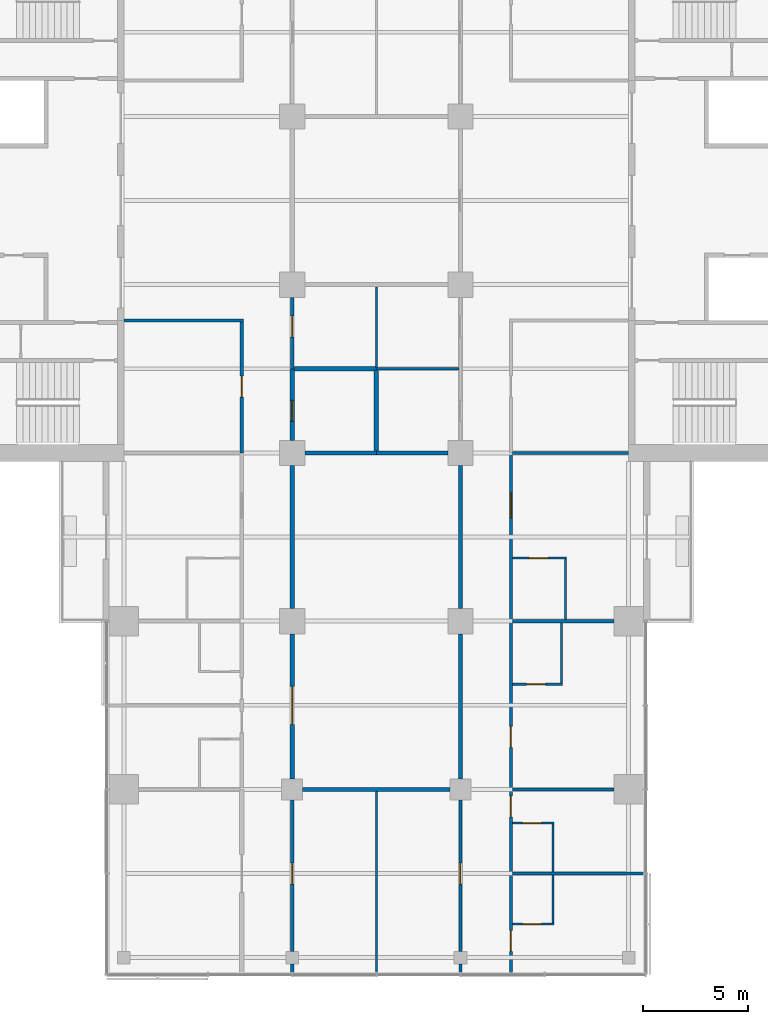
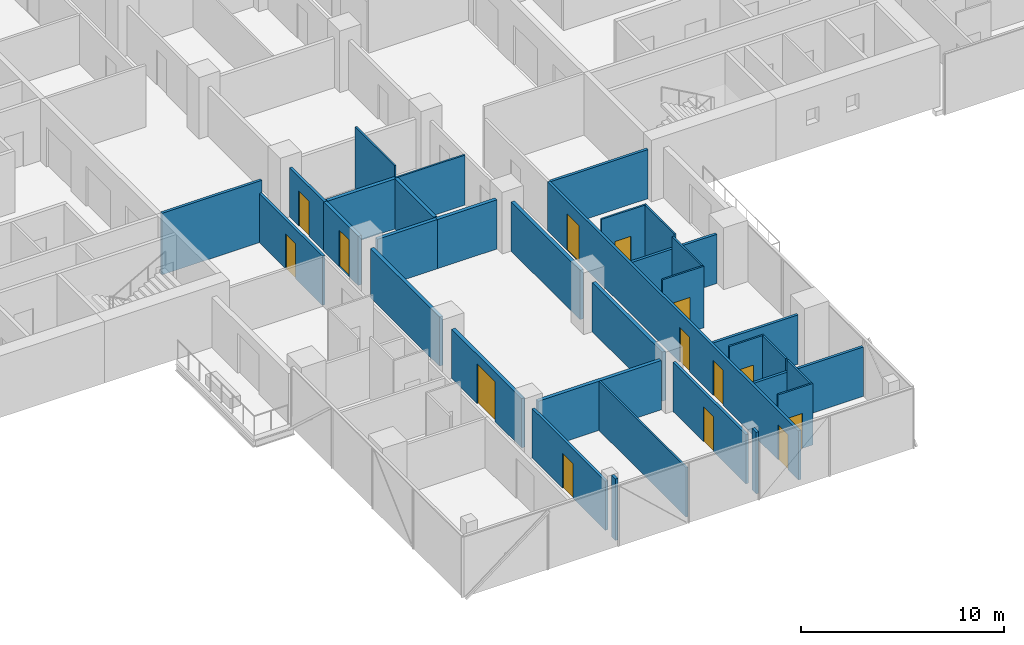
# One storey, part 16 of 27: 33 walls, 14 doors, 14 openings.
"""IFC4 building model written with IfcOpenShell, lengths in metres."""

from ifc_helpers import new_model, si_unit, direction, frame, frame_2d, origin, place, context, subcontext, project, spatial, rectangle, extrude, material, layer, layer_set, type_object, element, fill, save


model = new_model("IFC4")

# Units and contexts
model_context = context("Model", 3, precision=1e-05, world=origin(), true_north=direction((0.0, 1.0)))
body_context = subcontext(model_context, "Body", "Model", "MODEL_VIEW")
ifc_project = project(units=[si_unit("LENGTHUNIT", "METRE"), si_unit("AREAUNIT", "SQUARE_METRE"), si_unit("VOLUMEUNIT", "CUBIC_METRE"), si_unit("PLANEANGLEUNIT", "RADIAN"), si_unit("MASSUNIT", "GRAM", prefix="KILO")], contexts=[model_context])

# Site, building, storey
site_placement = place(None, origin())
site = spatial("IfcSite", under=ifc_project, at=site_placement, CompositionType="ELEMENT")
building_placement = place(site_placement, origin())
building = spatial("IfcBuilding", under=site, at=building_placement, Name="Crosswind Convention Tower", CompositionType="ELEMENT")
storey_placement = place(building_placement, frame((0.0, 0.0, 72.0)))
storey = spatial("IfcBuildingStorey", under=building, at=storey_placement, Name="L12", CompositionType="ELEMENT", Elevation=72.0)

# Walls
ifc_material_1 = material(Name="Concrete blockwork", Category="masonry")
ifc_layer_1 = layer(ifc_material_1, 0.199951171875)
ifc_layer_set_1 = layer_set([ifc_layer_1], Name="COMPARTMENT WALL 200")
wall_type_1 = type_object("IfcWallType", Name="COMPARTMENT WALL 200", PredefinedType="SOLIDWALL", material=ifc_layer_set_1)
wall_1_placement = place(storey_placement, frame((121.60009765625, 88.0, 0.0), z_axis=(0.0, 0.0, 1.0), x_axis=(1.0, 0.0, 0.0)))
element("IfcWall", 1, at=wall_1_placement, inside=storey, type_object=wall_type_1, Name="Compartment Wall 16", PredefinedType="SOLIDWALL", context=body_context, shape_type="SweptSolid", body=[
    extrude(rectangle(XDim=3.39990234375, YDim=0.199951171875, at=frame_2d((1.699951171875, 0.0))), origin(), (0.0, 0.0, 1.0), 2.959716796875),
])
wall_2_placement = place(storey_placement, frame((121.074951171875, 92.0, 0.0), z_axis=(0.0, 0.0, 1.0), x_axis=(1.0, 0.0, 0.0)))
element("IfcWall", 2, at=wall_2_placement, inside=storey, type_object=wall_type_1, Name="Compartment Wall 22", PredefinedType="SOLIDWALL", context=body_context, shape_type="SweptSolid", body=[
    extrude(rectangle(XDim=3.925048828125, YDim=0.199951171875, at=frame_2d((1.96240234375, 0.0))), origin(), (0.0, 0.0, 1.0), 3.013671875),
])

# Wall, opening, door
wall_3_placement = place(storey_placement, frame((121.0, 88.60009765625, 0.0), z_axis=(0.0, 0.0, 1.0), x_axis=(0.0, 1.0, 0.0)))
wall_3 = element("IfcWall", 3, at=wall_3_placement, inside=storey, type_object=wall_type_1, Name="Compartment Wall 91", PredefinedType="SOLIDWALL", context=body_context, shape_type="SweptSolid", body=[
    extrude(rectangle(XDim=3.39990234375, YDim=0.199951171875, at=frame_2d((1.699951171875, 0.0))), origin(), (0.0, 0.0, 1.0), 2.959716796875),
])
opening_1_placement = place(wall_3_placement, frame((0.89990234375, 0.0, 0.0)))
opening_1 = element("IfcOpeningElement", 4, at=opening_1_placement, cuts=wall_3, Name="Opening 12.060", PredefinedType="OPENING", context=body_context, shape_type="SweptSolid", body=[
    extrude(rectangle(XDim=1.0, YDim=2.199951171875, at=frame_2d((0.5, 1.10009765625))), frame((0.0, 0.10986328125, 0.0), z_axis=(0.0, -1.0, 0.0), x_axis=(1.0, 0.0, 0.0)), (0.0, 0.0, 1.0), 0.219970703125),
])
ifc_material_2 = material(Name="Steel fire door", Category="steel")
door_type_1 = type_object("IfcDoorType", Name="PLANT ROOM DOOR 1000X2200", OperationType="NOTDEFINED", PredefinedType="DOOR", material=ifc_material_2)
door_1_placement = place(opening_1_placement, frame((1.0, 0.0, 0.0), z_axis=(0.0, 0.0, 1.0), x_axis=(-1.0, 0.0, 0.0)))
door_1 = element("IfcDoor", 5, at=door_1_placement, inside=storey, type_object=door_type_1, Name="Door 12.060", ObjectType="D6", OperationType="SINGLE_SWING_RIGHT", OverallHeight=2.199951171875, OverallWidth=1.0, PredefinedType="DOOR", context=body_context, shape_type="SweptSolid", body=[
    extrude(rectangle(XDim=1.0, YDim=2.199951171875, at=frame_2d((0.5, 1.10009765625))), frame((0.0, 0.02490234375, 0.0), z_axis=(0.0, -1.0, 0.0), x_axis=(1.0, 0.0, 0.0)), (0.0, 0.0, 1.0), 0.050048828125),
])
fill(opening_1, door_1)

# Walls
wall_4_placement = place(storey_placement, frame((125.0, 88.10009765625, 0.0), z_axis=(0.0, 0.0, 1.0), x_axis=(0.0, 1.0, 0.0)))
element("IfcWall", 6, at=wall_4_placement, inside=storey, type_object=wall_type_1, Name="Compartment Wall 100", PredefinedType="SOLIDWALL", context=body_context, shape_type="SweptSolid", body=[
    extrude(rectangle(XDim=3.849853515625, YDim=0.199951171875, at=frame_2d((1.9248046875, 0.0))), origin(), (0.0, 0.0, 1.0), 3.013671875),
])
ifc_material_3 = material(Name="Plasterboard partition", Category="gypsum")
ifc_layer_2 = layer(ifc_material_3, 0.14990234375)
ifc_layer_set_2 = layer_set([ifc_layer_2], Name="CORRIDOR WALL 150")
wall_type_2 = type_object("IfcWallType", Name="CORRIDOR WALL 150", PredefinedType="PARTITIONING", material=ifc_layer_set_2)
wall_5_placement = place(storey_placement, frame((113.0, 94.300048828125, 0.0), z_axis=(0.0, 0.0, 1.0), x_axis=(1.0, 0.0, 0.0)))
element("IfcWall", 7, at=wall_5_placement, inside=storey, type_object=wall_type_2, Name="Corridor Wall 25", PredefinedType="PARTITIONING", context=body_context, shape_type="SweptSolid", body=[
    extrude(rectangle(XDim=5.675048828125, YDim=0.14990234375, at=frame_2d((2.83740234375, 0.0))), origin(), (0.0, 0.0, 1.0), 3.699951171875),
])

# Wall, opening, door
wall_6_placement = place(storey_placement, frame((118.60009765625, 88.0, 0.0), z_axis=(0.0, 0.0, 1.0), x_axis=(0.0, 1.0, 0.0)))
wall_6 = element("IfcWall", 8, at=wall_6_placement, inside=storey, type_object=wall_type_2, Name="Corridor Wall 84", PredefinedType="PARTITIONING", context=body_context, shape_type="SweptSolid", body=[
    extrude(rectangle(XDim=6.22509765625, YDim=0.14990234375, at=frame_2d((3.112548828125, 0.0))), origin(), (0.0, 0.0, 1.0), 2.956298828125),
])
opening_2_placement = place(wall_6_placement, frame((2.64990234375, 0.0, 0.0)))
opening_2 = element("IfcOpeningElement", 9, at=opening_2_placement, cuts=wall_6, Name="Opening 12.004", PredefinedType="OPENING", context=body_context, shape_type="SweptSolid", body=[
    extrude(rectangle(XDim=1.0, YDim=2.10009765625, at=frame_2d((0.5, 1.050048828125))), frame((0.0, 0.0849609375, 0.0), z_axis=(0.0, -1.0, 0.0), x_axis=(1.0, 0.0, 0.0)), (0.0, 0.0, 1.0), 0.169921875),
])
ifc_material_4 = material(Name="Timber fire door", Category="wood")
door_type_2 = type_object("IfcDoorType", Name="SERVICE ROOM DOOR 1000X2100", OperationType="NOTDEFINED", PredefinedType="DOOR", material=ifc_material_4)
door_2_placement = place(opening_2_placement, origin())
door_2 = element("IfcDoor", 10, at=door_2_placement, inside=storey, type_object=door_type_2, Name="Door 12.004", ObjectType="D3", OperationType="SINGLE_SWING_RIGHT", OverallHeight=2.10009765625, OverallWidth=1.0, PredefinedType="DOOR", context=body_context, shape_type="SweptSolid", body=[
    extrude(rectangle(XDim=1.0, YDim=2.10009765625, at=frame_2d((0.5, 1.050048828125))), frame((0.0, 0.02490234375, 0.0), z_axis=(0.0, -1.0, 0.0), x_axis=(1.0, 0.0, 0.0)), (0.0, 0.0, 1.0), 0.050048828125),
])
fill(opening_2, door_2)

# Wall
wall_7_placement = place(storey_placement, frame((121.0, 63.300048828125, 0.0), z_axis=(0.0, 0.0, 1.0), x_axis=(0.0, 1.0, 0.0)))
element("IfcWall", 11, at=wall_7_placement, inside=storey, type_object=wall_type_2, Name="Corridor Wall 87", PredefinedType="PARTITIONING", context=body_context, shape_type="SweptSolid", body=[
    extrude(rectangle(XDim=0.39990234375, YDim=0.14990234375, at=frame_2d((0.199951171875, 0.0))), origin(), (0.0, 0.0, 1.0), 3.699951171875),
])

# Wall, opening, door
wall_8_placement = place(storey_placement, frame((121.0, 64.300048828125, 0.0), z_axis=(0.0, 0.0, 1.0), x_axis=(0.0, 1.0, 0.0)))
wall_8 = element("IfcWall", 12, at=wall_8_placement, inside=storey, type_object=wall_type_2, Name="Corridor Wall 88", PredefinedType="PARTITIONING", context=body_context, shape_type="SweptSolid", body=[
    extrude(rectangle(XDim=7.199951171875, YDim=0.14990234375, at=frame_2d((3.60009765625, 0.0))), origin(), (0.0, 0.0, 1.0), 2.959716796875),
])
opening_3_placement = place(wall_8_placement, frame((3.199951171875, 0.0, 0.0)))
opening_3 = element("IfcOpeningElement", 13, at=opening_3_placement, cuts=wall_8, Name="Opening 12.057", PredefinedType="OPENING", context=body_context, shape_type="SweptSolid", body=[
    extrude(rectangle(XDim=1.0, YDim=2.10009765625, at=frame_2d((0.5, 1.050048828125))), frame((0.0, 0.0849609375, 0.0), z_axis=(0.0, -1.0, 0.0), x_axis=(1.0, 0.0, 0.0)), (0.0, 0.0, 1.0), 0.169921875),
])
door_3_placement = place(opening_3_placement, frame((1.0, 0.0, 0.0), z_axis=(0.0, 0.0, 1.0), x_axis=(-1.0, 0.0, 0.0)))
door_3 = element("IfcDoor", 14, at=door_3_placement, inside=storey, type_object=door_type_2, Name="Door 12.057", ObjectType="D3", OperationType="SINGLE_SWING_LEFT", OverallHeight=2.10009765625, OverallWidth=1.0, PredefinedType="DOOR", context=body_context, shape_type="SweptSolid", body=[
    extrude(rectangle(XDim=1.0, YDim=2.10009765625, at=frame_2d((0.5, 1.050048828125))), frame((0.0, 0.02490234375, 0.0), z_axis=(0.0, -1.0, 0.0), x_axis=(1.0, 0.0, 0.0)), (0.0, 0.0, 1.0), 0.050048828125),
])
fill(opening_3, door_3)

wall_9_placement = place(storey_placement, frame((121.0, 92.0, 0.0), z_axis=(0.0, 0.0, 1.0), x_axis=(0.0, 1.0, 0.0)))
wall_9 = element("IfcWall", 15, at=wall_9_placement, inside=storey, type_object=wall_type_2, Name="Corridor Wall 92", PredefinedType="PARTITIONING", context=body_context, shape_type="SweptSolid", body=[
    extrude(rectangle(XDim=3.39990234375, YDim=0.14990234375, at=frame_2d((1.699951171875, 0.0))), origin(), (0.0, 0.0, 1.0), 2.959716796875),
])
opening_4_placement = place(wall_9_placement, frame((1.5, 0.0, 0.0)))
opening_4 = element("IfcOpeningElement", 16, at=opening_4_placement, cuts=wall_9, Name="Opening 12.061", PredefinedType="OPENING", context=body_context, shape_type="SweptSolid", body=[
    extrude(rectangle(XDim=1.0, YDim=2.10009765625, at=frame_2d((0.5, 1.050048828125))), frame((0.0, 0.0849609375, 0.0), z_axis=(0.0, -1.0, 0.0), x_axis=(1.0, 0.0, 0.0)), (0.0, 0.0, 1.0), 0.169921875),
])
door_4_placement = place(opening_4_placement, frame((1.0, 0.0, 0.0), z_axis=(0.0, 0.0, 1.0), x_axis=(-1.0, 0.0, 0.0)))
door_4 = element("IfcDoor", 17, at=door_4_placement, inside=storey, type_object=door_type_2, Name="Door 12.061", ObjectType="D3", OperationType="SINGLE_SWING_LEFT", OverallHeight=2.10009765625, OverallWidth=1.0, PredefinedType="DOOR", context=body_context, shape_type="SweptSolid", body=[
    extrude(rectangle(XDim=1.0, YDim=2.10009765625, at=frame_2d((0.5, 1.050048828125))), frame((0.0, 0.02490234375, 0.0), z_axis=(0.0, -1.0, 0.0), x_axis=(1.0, 0.0, 0.0)), (0.0, 0.0, 1.0), 0.050048828125),
])
fill(opening_4, door_4)

# Wall
wall_10_placement = place(storey_placement, frame((129.0, 63.300048828125, 0.0), z_axis=(0.0, 0.0, 1.0), x_axis=(0.0, 1.0, 0.0)))
element("IfcWall", 18, at=wall_10_placement, inside=storey, type_object=wall_type_2, Name="Corridor Wall 104", PredefinedType="PARTITIONING", context=body_context, shape_type="SweptSolid", body=[
    extrude(rectangle(XDim=0.39990234375, YDim=0.14990234375, at=frame_2d((0.199951171875, 0.0))), origin(), (0.0, 0.0, 1.0), 3.699951171875),
])

# Wall, opening, door
wall_11_placement = place(storey_placement, frame((129.0, 64.300048828125, 0.0), z_axis=(0.0, 0.0, 1.0), x_axis=(0.0, 1.0, 0.0)))
wall_11 = element("IfcWall", 19, at=wall_11_placement, inside=storey, type_object=wall_type_2, Name="Corridor Wall 105", PredefinedType="PARTITIONING", context=body_context, shape_type="SweptSolid", body=[
    extrude(rectangle(XDim=7.199951171875, YDim=0.14990234375, at=frame_2d((3.60009765625, 0.0))), origin(), (0.0, 0.0, 1.0), 2.959716796875),
])
opening_5_placement = place(wall_11_placement, frame((3.199951171875, 0.0, 0.0)))
opening_5 = element("IfcOpeningElement", 20, at=opening_5_placement, cuts=wall_11, Name="Opening 12.058", PredefinedType="OPENING", context=body_context, shape_type="SweptSolid", body=[
    extrude(rectangle(XDim=1.0, YDim=2.10009765625, at=frame_2d((0.5, 1.050048828125))), frame((0.0, 0.0849609375, 0.0), z_axis=(0.0, -1.0, 0.0), x_axis=(1.0, 0.0, 0.0)), (0.0, 0.0, 1.0), 0.169921875),
])
door_5_placement = place(opening_5_placement, origin())
door_5 = element("IfcDoor", 21, at=door_5_placement, inside=storey, type_object=door_type_2, Name="Door 12.058", ObjectType="D3", OperationType="SINGLE_SWING_RIGHT", OverallHeight=2.10009765625, OverallWidth=1.0, PredefinedType="DOOR", context=body_context, shape_type="SweptSolid", body=[
    extrude(rectangle(XDim=1.0, YDim=2.10009765625, at=frame_2d((0.5, 1.050048828125))), frame((0.0, 0.02490234375, 0.0), z_axis=(0.0, -1.0, 0.0), x_axis=(1.0, 0.0, 0.0)), (0.0, 0.0, 1.0), 0.050048828125),
])
fill(opening_5, door_5)

# Walls
ifc_material_5 = material(Name="Acoustic plasterboard partition", Category="gypsum")
ifc_layer_3 = layer(ifc_material_5, 0.14990234375)
ifc_layer_set_3 = layer_set([ifc_layer_3], Name="GUEST ROOM WALL 150")
wall_type_3 = type_object("IfcWallType", Name="GUEST ROOM WALL 150", PredefinedType="PARTITIONING", material=ifc_layer_set_3)
wall_12_placement = place(storey_placement, frame((131.47509765625, 68.0, 0.0), z_axis=(0.0, 0.0, 1.0), x_axis=(1.0, 0.0, 0.0)))
element("IfcWall", 22, at=wall_12_placement, inside=storey, type_object=wall_type_3, Name="Guest Room Wall 2", PredefinedType="PARTITIONING", context=body_context, shape_type="SweptSolid", body=[
    extrude(rectangle(XDim=6.224853515625, YDim=0.14990234375, at=frame_2d((3.1123046875, 0.0))), origin(), (0.0, 0.0, 1.0), 2.962890625),
])
for number, where, z_axis, x_axis, name in (
    (23, (131.47509765625, 72.0, 0.0), (0.0, 0.0, 1.0), (1.0, 0.0, 0.0), "Guest Room Wall 6"),
    (24, (131.47509765625, 80.0, 0.0), (0.0, 0.0, 1.0), (1.0, 0.0, 0.0), "Guest Room Wall 12"),
):
    element("IfcWall", number, at=place(storey_placement, frame(where, z_axis=z_axis, x_axis=x_axis)), inside=storey, type_object=wall_type_3, Name=name, PredefinedType="PARTITIONING", context=body_context, shape_type="SweptSolid", body=[
        extrude(rectangle(XDim=4.824951171875, YDim=0.14990234375, at=frame_2d((2.41259765625, 0.0))), origin(), (0.0, 0.0, 1.0), 2.959716796875),
    ])
wall_13_placement = place(storey_placement, frame((131.47509765625, 88.0, 0.0), z_axis=(0.0, 0.0, 1.0), x_axis=(1.0, 0.0, 0.0)))
element("IfcWall", 25, at=wall_13_placement, inside=storey, type_object=wall_type_3, Name="Guest Room Wall 18", PredefinedType="PARTITIONING", context=body_context, shape_type="SweptSolid", body=[
    extrude(rectangle(XDim=5.52490234375, YDim=0.14990234375, at=frame_2d((2.762451171875, 0.0))), origin(), (0.0, 0.0, 1.0), 2.956298828125),
])

# Wall, openings, doors
wall_14_placement = place(storey_placement, frame((131.39990234375, 63.300048828125, 0.0), z_axis=(0.0, 0.0, 1.0), x_axis=(0.0, 1.0, 0.0)))
wall_14 = element("IfcWall", 26, at=wall_14_placement, inside=storey, type_object=wall_type_3, Name="Guest Room Wall 115", PredefinedType="PARTITIONING", context=body_context, shape_type="SweptSolid", body=[
    extrude(rectangle(XDim=24.699951171875, YDim=0.14990234375, at=frame_2d((12.35009765625, 0.0))), origin(), (0.0, 0.0, 1.0), 2.956298828125),
])
opening_6_placement = place(wall_14_placement, frame((21.60009765625, 0.0, 0.0)))
opening_6 = element("IfcOpeningElement", 27, at=opening_6_placement, cuts=wall_14, Name="Opening 12.020", PredefinedType="OPENING", context=body_context, shape_type="SweptSolid", body=[
    extrude(rectangle(XDim=1.199951171875, YDim=2.199951171875, at=frame_2d((0.60009765625, 1.10009765625))), frame((0.0, 0.0849609375, 0.0), z_axis=(0.0, -1.0, 0.0), x_axis=(1.0, 0.0, 0.0)), (0.0, 0.0, 1.0), 0.169921875),
])
opening_7_placement = place(wall_14_placement, frame((10.699951171875, 0.0, 0.0)))
opening_7 = element("IfcOpeningElement", 28, at=opening_7_placement, cuts=wall_14, Name="Opening 12.022", PredefinedType="OPENING", context=body_context, shape_type="SweptSolid", body=[
    extrude(rectangle(XDim=1.0, YDim=2.10009765625, at=frame_2d((0.5, 1.050048828125))), frame((0.0, 0.0849609375, 0.0), z_axis=(0.0, -1.0, 0.0), x_axis=(1.0, 0.0, 0.0)), (0.0, 0.0, 1.0), 0.169921875),
])
opening_8_placement = place(wall_14_placement, frame((7.39990234375, 0.0, 0.0)))
opening_8 = element("IfcOpeningElement", 29, at=opening_8_placement, cuts=wall_14, Name="Opening 12.024", PredefinedType="OPENING", context=body_context, shape_type="SweptSolid", body=[
    extrude(rectangle(XDim=1.0, YDim=2.10009765625, at=frame_2d((0.5, 1.050048828125))), frame((0.0, 0.0849609375, 0.0), z_axis=(0.0, -1.0, 0.0), x_axis=(1.0, 0.0, 0.0)), (0.0, 0.0, 1.0), 0.169921875),
])
opening_9_placement = place(wall_14_placement, frame((1.0, 0.0, 0.0)))
opening_9 = element("IfcOpeningElement", 30, at=opening_9_placement, cuts=wall_14, Name="Opening 12.026", PredefinedType="OPENING", context=body_context, shape_type="SweptSolid", body=[
    extrude(rectangle(XDim=1.0, YDim=2.10009765625, at=frame_2d((0.5, 1.050048828125))), frame((0.0, 0.0849609375, 0.0), z_axis=(0.0, -1.0, 0.0), x_axis=(1.0, 0.0, 0.0)), (0.0, 0.0, 1.0), 0.169921875),
])
door_type_3 = type_object("IfcDoorType", Name="GUEST ROOM DOOR 1000X2100", OperationType="NOTDEFINED", PredefinedType="DOOR", material=ifc_material_4)
door_6_placement = place(opening_7_placement, frame((1.0, 0.0, 0.0), z_axis=(0.0, 0.0, 1.0), x_axis=(-1.0, 0.0, 0.0)))
door_6 = element("IfcDoor", 31, at=door_6_placement, inside=storey, type_object=door_type_3, Name="Door 12.022", ObjectType="D1", OperationType="SINGLE_SWING_LEFT", OverallHeight=2.10009765625, OverallWidth=1.0, PredefinedType="DOOR", context=body_context, shape_type="SweptSolid", body=[
    extrude(rectangle(XDim=1.0, YDim=2.10009765625, at=frame_2d((0.5, 1.050048828125))), frame((0.0, 0.02490234375, 0.0), z_axis=(0.0, -1.0, 0.0), x_axis=(1.0, 0.0, 0.0)), (0.0, 0.0, 1.0), 0.050048828125),
])
fill(opening_7, door_6)
door_7_placement = place(opening_8_placement, frame((1.0, 0.0, 0.0), z_axis=(0.0, 0.0, 1.0), x_axis=(-1.0, 0.0, 0.0)))
door_7 = element("IfcDoor", 32, at=door_7_placement, inside=storey, type_object=door_type_3, Name="Door 12.024", ObjectType="D1", OperationType="SINGLE_SWING_LEFT", OverallHeight=2.10009765625, OverallWidth=1.0, PredefinedType="DOOR", context=body_context, shape_type="SweptSolid", body=[
    extrude(rectangle(XDim=1.0, YDim=2.10009765625, at=frame_2d((0.5, 1.050048828125))), frame((0.0, 0.02490234375, 0.0), z_axis=(0.0, -1.0, 0.0), x_axis=(1.0, 0.0, 0.0)), (0.0, 0.0, 1.0), 0.050048828125),
])
fill(opening_8, door_7)
door_8_placement = place(opening_9_placement, frame((1.0, 0.0, 0.0), z_axis=(0.0, 0.0, 1.0), x_axis=(-1.0, 0.0, 0.0)))
door_8 = element("IfcDoor", 33, at=door_8_placement, inside=storey, type_object=door_type_3, Name="Door 12.026", ObjectType="D1", OperationType="SINGLE_SWING_LEFT", OverallHeight=2.10009765625, OverallWidth=1.0, PredefinedType="DOOR", context=body_context, shape_type="SweptSolid", body=[
    extrude(rectangle(XDim=1.0, YDim=2.10009765625, at=frame_2d((0.5, 1.050048828125))), frame((0.0, 0.02490234375, 0.0), z_axis=(0.0, -1.0, 0.0), x_axis=(1.0, 0.0, 0.0)), (0.0, 0.0, 1.0), 0.050048828125),
])
fill(opening_9, door_8)
door_type_4 = type_object("IfcDoorType", Name="SUITE DOOR 1200X2200", OperationType="DOUBLE_DOOR_SINGLE_SWING", PredefinedType="DOOR", material=ifc_material_4)
door_9_placement = place(opening_6_placement, frame((1.199951171875, 0.0, 0.0), z_axis=(0.0, 0.0, 1.0), x_axis=(-1.0, 0.0, 0.0)))
door_9 = element("IfcDoor", 34, at=door_9_placement, inside=storey, type_object=door_type_4, Name="Door 12.020", ObjectType="D14", OperationType="DOUBLE_DOOR_SINGLE_SWING", OverallHeight=2.199951171875, OverallWidth=1.199951171875, PredefinedType="DOOR", context=body_context, shape_type="SweptSolid", body=[
    extrude(rectangle(XDim=1.199951171875, YDim=2.199951171875, at=frame_2d((0.60009765625, 1.10009765625))), frame((0.0, 0.02490234375, 0.0), z_axis=(0.0, -1.0, 0.0), x_axis=(1.0, 0.0, 0.0)), (0.0, 0.0, 1.0), 0.050048828125),
])
fill(opening_6, door_9)

# Walls
ifc_material_6 = material(Name="Double plasterboard partition", Category="gypsum")
ifc_layer_4 = layer(ifc_material_6, 0.199951171875)
ifc_layer_set_4 = layer_set([ifc_layer_4], Name="HALL WALL 200")
wall_type_4 = type_object("IfcWallType", Name="HALL WALL 200", PredefinedType="PARTITIONING", material=ifc_layer_set_4)
wall_15_placement = place(storey_placement, frame((121.5, 72.0, 0.0), z_axis=(0.0, 0.0, 1.0), x_axis=(1.0, 0.0, 0.0)))
element("IfcWall", 35, at=wall_15_placement, inside=storey, type_object=wall_type_4, Name="Hall Wall 5", PredefinedType="PARTITIONING", context=body_context, shape_type="SweptSolid", body=[
    extrude(rectangle(XDim=7.0, YDim=0.199951171875, at=frame_2d((3.5, 0.0))), origin(), (0.0, 0.0, 1.0), 2.959716796875),
])
wall_16_placement = place(storey_placement, frame((125.0, 88.0, 0.0), z_axis=(0.0, 0.0, 1.0), x_axis=(1.0, 0.0, 0.0)))
element("IfcWall", 36, at=wall_16_placement, inside=storey, type_object=wall_type_4, Name="Hall Wall 17", PredefinedType="PARTITIONING", context=body_context, shape_type="SweptSolid", body=[
    extrude(rectangle(XDim=3.39990234375, YDim=0.199951171875, at=frame_2d((1.699951171875, 0.0))), origin(), (0.0, 0.0, 1.0), 2.959716796875),
])

# Wall, opening, door
wall_17_placement = place(storey_placement, frame((121.0, 72.5, 0.0), z_axis=(0.0, 0.0, 1.0), x_axis=(0.0, 1.0, 0.0)))
wall_17 = element("IfcWall", 37, at=wall_17_placement, inside=storey, type_object=wall_type_4, Name="Hall Wall 89", PredefinedType="PARTITIONING", context=body_context, shape_type="SweptSolid", body=[
    extrude(rectangle(XDim=6.89990234375, YDim=0.199951171875, at=frame_2d((3.449951171875, 0.0))), origin(), (0.0, 0.0, 1.0), 2.959716796875),
])
opening_10_placement = place(wall_17_placement, frame((2.60009765625, 0.0, 0.0)))
opening_10 = element("IfcOpeningElement", 38, at=opening_10_placement, cuts=wall_17, Name="Opening 12.059", PredefinedType="OPENING", context=body_context, shape_type="SweptSolid", body=[
    extrude(rectangle(XDim=1.800048828125, YDim=2.39990234375, at=frame_2d((0.89990234375, 1.199951171875))), frame((0.0, 0.10986328125, 0.0), z_axis=(0.0, -1.0, 0.0), x_axis=(1.0, 0.0, 0.0)), (0.0, 0.0, 1.0), 0.219970703125),
])
door_type_5 = type_object("IfcDoorType", Name="HALL DOUBLE DOOR 1800X2400", OperationType="DOUBLE_DOOR_SINGLE_SWING", PredefinedType="DOOR", material=ifc_material_4)
door_10_placement = place(opening_10_placement, origin())
door_10 = element("IfcDoor", 39, at=door_10_placement, inside=storey, type_object=door_type_5, Name="Door 12.059", ObjectType="D5", OperationType="DOUBLE_DOOR_SINGLE_SWING", OverallHeight=2.39990234375, OverallWidth=1.800048828125, PredefinedType="DOOR", context=body_context, shape_type="SweptSolid", body=[
    extrude(rectangle(XDim=1.800048828125, YDim=2.39990234375, at=frame_2d((0.89990234375, 1.199951171875))), frame((0.0, 0.02490234375, 0.0), z_axis=(0.0, -1.0, 0.0), x_axis=(1.0, 0.0, 0.0)), (0.0, 0.0, 1.0), 0.050048828125),
])
fill(opening_10, door_10)

# Walls
wall_18_placement = place(storey_placement, frame((121.0, 80.60009765625, 0.0), z_axis=(0.0, 0.0, 1.0), x_axis=(0.0, 1.0, 0.0)))
element("IfcWall", 40, at=wall_18_placement, inside=storey, type_object=wall_type_4, Name="Hall Wall 90", PredefinedType="PARTITIONING", context=body_context, shape_type="SweptSolid", body=[
    extrude(rectangle(XDim=6.7998046875, YDim=0.199951171875, at=frame_2d((3.39990234375, 0.0))), origin(), (0.0, 0.0, 1.0), 2.959716796875),
])
wall_19_placement = place(storey_placement, frame((129.0, 72.5, 0.0), z_axis=(0.0, 0.0, 1.0), x_axis=(0.0, 1.0, 0.0)))
element("IfcWall", 41, at=wall_19_placement, inside=storey, type_object=wall_type_4, Name="Hall Wall 106", PredefinedType="PARTITIONING", context=body_context, shape_type="SweptSolid", body=[
    extrude(rectangle(XDim=6.89990234375, YDim=0.199951171875, at=frame_2d((3.449951171875, 0.0))), origin(), (0.0, 0.0, 1.0), 2.959716796875),
])
wall_20_placement = place(storey_placement, frame((129.0, 80.60009765625, 0.0), z_axis=(0.0, 0.0, 1.0), x_axis=(0.0, 1.0, 0.0)))
element("IfcWall", 42, at=wall_20_placement, inside=storey, type_object=wall_type_4, Name="Hall Wall 107", PredefinedType="PARTITIONING", context=body_context, shape_type="SweptSolid", body=[
    extrude(rectangle(XDim=6.7998046875, YDim=0.199951171875, at=frame_2d((3.39990234375, 0.0))), origin(), (0.0, 0.0, 1.0), 2.959716796875),
])
ifc_layer_5 = layer(ifc_material_3, 0.10009765625)
ifc_layer_set_5 = layer_set([ifc_layer_5], Name="PARTITION 100")
wall_type_5 = type_object("IfcWallType", Name="PARTITION 100", PredefinedType="PARTITIONING", material=ifc_layer_set_5)
wall_21_placement = place(storey_placement, frame((125.0, 92.0, 0.0), z_axis=(0.0, 0.0, 1.0), x_axis=(1.0, 0.0, 0.0)))
element("IfcWall", 43, at=wall_21_placement, inside=storey, type_object=wall_type_5, Name="Partition 23", PredefinedType="PARTITIONING", context=body_context, shape_type="SweptSolid", body=[
    extrude(rectangle(XDim=3.925048828125, YDim=0.10009765625, at=frame_2d((1.96240234375, 0.0))), origin(), (0.0, 0.0, 1.0), 3.013671875),
])
wall_22_placement = place(storey_placement, frame((125.0, 63.300048828125, 0.0), z_axis=(0.0, 0.0, 1.0), x_axis=(0.0, 1.0, 0.0)))
element("IfcWall", 44, at=wall_22_placement, inside=storey, type_object=wall_type_5, Name="Partition 99", PredefinedType="PARTITIONING", context=body_context, shape_type="SweptSolid", body=[
    extrude(rectangle(XDim=8.599853515625, YDim=0.10009765625, at=frame_2d((4.2998046875, 0.0))), origin(), (0.0, 0.0, 1.0), 2.962890625),
])
wall_23_placement = place(storey_placement, frame((125.0, 92.050048828125, 0.0), z_axis=(0.0, 0.0, 1.0), x_axis=(0.0, 1.0, 0.0)))
element("IfcWall", 45, at=wall_23_placement, inside=storey, type_object=wall_type_5, Name="Partition 101", PredefinedType="PARTITIONING", context=body_context, shape_type="SweptSolid", body=[
    extrude(rectangle(XDim=3.849853515625, YDim=0.10009765625, at=frame_2d((1.9248046875, 0.0))), origin(), (0.0, 0.0, 1.0), 3.699951171875),
])

# Wall, opening, door
ifc_material_7 = material(Name="Water-resistant plasterboard partition", Category="gypsum")
ifc_layer_6 = layer(ifc_material_7, 0.10009765625)
ifc_layer_set_6 = layer_set([ifc_layer_6], Name="WET ROOM PARTITION 100")
wall_type_6 = type_object("IfcWallType", Name="WET ROOM PARTITION 100", PredefinedType="PLUMBINGWALL", material=ifc_layer_set_6)
wall_24_placement = place(storey_placement, frame((131.47509765625, 65.60009765625, 0.0), z_axis=(0.0, 0.0, 1.0), x_axis=(1.0, 0.0, 0.0)))
wall_24 = element("IfcWall", 46, at=wall_24_placement, inside=storey, type_object=wall_type_6, Name="Wet Room Partition 1", PredefinedType="PLUMBINGWALL", context=body_context, shape_type="SweptSolid", body=[
    extrude(rectangle(XDim=1.974853515625, YDim=0.10009765625, at=frame_2d((0.9873046875, 0.0))), origin(), (0.0, 0.0, 1.0), 3.699951171875),
])
opening_11_placement = place(wall_24_placement, frame((0.47509765625, 0.0, 0.0)))
opening_11 = element("IfcOpeningElement", 47, at=opening_11_placement, cuts=wall_24, Name="Opening 12.027", PredefinedType="OPENING", context=body_context, shape_type="SweptSolid", body=[
    extrude(rectangle(XDim=0.89990234375, YDim=2.10009765625, at=frame_2d((0.449951171875, 1.050048828125))), frame((0.0, 0.06005859375, 0.0), z_axis=(0.0, -1.0, 0.0), x_axis=(1.0, 0.0, 0.0)), (0.0, 0.0, 1.0), 0.1201171875),
])
ifc_material_8 = material(Name="Timber door", Category="wood")
door_type_6 = type_object("IfcDoorType", Name="EN-SUITE DOOR 900X2100", OperationType="NOTDEFINED", PredefinedType="DOOR", material=ifc_material_8)
door_11_placement = place(opening_11_placement, origin())
door_11 = element("IfcDoor", 48, at=door_11_placement, inside=storey, type_object=door_type_6, Name="Door 12.027", ObjectType="D2", OperationType="SINGLE_SWING_RIGHT", OverallHeight=2.10009765625, OverallWidth=0.89990234375, PredefinedType="DOOR", context=body_context, shape_type="SweptSolid", body=[
    extrude(rectangle(XDim=0.89990234375, YDim=2.10009765625, at=frame_2d((0.449951171875, 1.050048828125))), frame((0.0, 0.02490234375, 0.0), z_axis=(0.0, -1.0, 0.0), x_axis=(1.0, 0.0, 0.0)), (0.0, 0.0, 1.0), 0.050048828125),
])
fill(opening_11, door_11)

wall_25_placement = place(storey_placement, frame((131.47509765625, 70.39990234375, 0.0), z_axis=(0.0, 0.0, 1.0), x_axis=(1.0, 0.0, 0.0)))
wall_25 = element("IfcWall", 49, at=wall_25_placement, inside=storey, type_object=wall_type_6, Name="Wet Room Partition 3", PredefinedType="PLUMBINGWALL", context=body_context, shape_type="SweptSolid", body=[
    extrude(rectangle(XDim=1.974853515625, YDim=0.10009765625, at=frame_2d((0.9873046875, 0.0))), origin(), (0.0, 0.0, 1.0), 3.699951171875),
])
opening_12_placement = place(wall_25_placement, frame((0.47509765625, 0.0, 0.0)))
opening_12 = element("IfcOpeningElement", 50, at=opening_12_placement, cuts=wall_25, Name="Opening 12.025", PredefinedType="OPENING", context=body_context, shape_type="SweptSolid", body=[
    extrude(rectangle(XDim=0.89990234375, YDim=2.10009765625, at=frame_2d((0.449951171875, 1.050048828125))), frame((0.0, 0.06005859375, 0.0), z_axis=(0.0, -1.0, 0.0), x_axis=(1.0, 0.0, 0.0)), (0.0, 0.0, 1.0), 0.1201171875),
])
door_12_placement = place(opening_12_placement, frame((0.89990234375, 0.0, 0.0), z_axis=(0.0, 0.0, 1.0), x_axis=(-1.0, 0.0, 0.0)))
door_12 = element("IfcDoor", 51, at=door_12_placement, inside=storey, type_object=door_type_6, Name="Door 12.025", ObjectType="D2", OperationType="SINGLE_SWING_LEFT", OverallHeight=2.10009765625, OverallWidth=0.89990234375, PredefinedType="DOOR", context=body_context, shape_type="SweptSolid", body=[
    extrude(rectangle(XDim=0.89990234375, YDim=2.10009765625, at=frame_2d((0.449951171875, 1.050048828125))), frame((0.0, 0.02490234375, 0.0), z_axis=(0.0, -1.0, 0.0), x_axis=(1.0, 0.0, 0.0)), (0.0, 0.0, 1.0), 0.050048828125),
])
fill(opening_12, door_12)

wall_26_placement = place(storey_placement, frame((131.47509765625, 77.0, 0.0), z_axis=(0.0, 0.0, 1.0), x_axis=(1.0, 0.0, 0.0)))
wall_26 = element("IfcWall", 52, at=wall_26_placement, inside=storey, type_object=wall_type_6, Name="Wet Room Partition 9", PredefinedType="PLUMBINGWALL", context=body_context, shape_type="SweptSolid", body=[
    extrude(rectangle(XDim=2.375, YDim=0.10009765625, at=frame_2d((1.1875, 0.0))), origin(), (0.0, 0.0, 1.0), 3.699951171875),
])
opening_13_placement = place(wall_26_placement, frame((0.675048828125, 0.0, 0.0)))
opening_13 = element("IfcOpeningElement", 53, at=opening_13_placement, cuts=wall_26, Name="Opening 12.023", PredefinedType="OPENING", context=body_context, shape_type="SweptSolid", body=[
    extrude(rectangle(XDim=0.89990234375, YDim=2.10009765625, at=frame_2d((0.449951171875, 1.050048828125))), frame((0.0, 0.06005859375, 0.0), z_axis=(0.0, -1.0, 0.0), x_axis=(1.0, 0.0, 0.0)), (0.0, 0.0, 1.0), 0.1201171875),
])
door_13_placement = place(opening_13_placement, origin())
door_13 = element("IfcDoor", 54, at=door_13_placement, inside=storey, type_object=door_type_6, Name="Door 12.023", ObjectType="D2", OperationType="SINGLE_SWING_RIGHT", OverallHeight=2.10009765625, OverallWidth=0.89990234375, PredefinedType="DOOR", context=body_context, shape_type="SweptSolid", body=[
    extrude(rectangle(XDim=0.89990234375, YDim=2.10009765625, at=frame_2d((0.449951171875, 1.050048828125))), frame((0.0, 0.02490234375, 0.0), z_axis=(0.0, -1.0, 0.0), x_axis=(1.0, 0.0, 0.0)), (0.0, 0.0, 1.0), 0.050048828125),
])
fill(opening_13, door_13)

wall_27_placement = place(storey_placement, frame((131.47509765625, 83.0, 0.0), z_axis=(0.0, 0.0, 1.0), x_axis=(1.0, 0.0, 0.0)))
wall_27 = element("IfcWall", 55, at=wall_27_placement, inside=storey, type_object=wall_type_6, Name="Wet Room Partition 14", PredefinedType="PLUMBINGWALL", context=body_context, shape_type="SweptSolid", body=[
    extrude(rectangle(XDim=2.574951171875, YDim=0.10009765625, at=frame_2d((1.28759765625, 0.0))), origin(), (0.0, 0.0, 1.0), 3.699951171875),
])
opening_14_placement = place(wall_27_placement, frame((0.77490234375, 0.0, 0.0)))
opening_14 = element("IfcOpeningElement", 56, at=opening_14_placement, cuts=wall_27, Name="Opening 12.021", PredefinedType="OPENING", context=body_context, shape_type="SweptSolid", body=[
    extrude(rectangle(XDim=0.89990234375, YDim=2.10009765625, at=frame_2d((0.449951171875, 1.050048828125))), frame((0.0, 0.06005859375, 0.0), z_axis=(0.0, -1.0, 0.0), x_axis=(1.0, 0.0, 0.0)), (0.0, 0.0, 1.0), 0.1201171875),
])
door_14_placement = place(opening_14_placement, frame((0.89990234375, 0.0, 0.0), z_axis=(0.0, 0.0, 1.0), x_axis=(-1.0, 0.0, 0.0)))
door_14 = element("IfcDoor", 57, at=door_14_placement, inside=storey, type_object=door_type_6, Name="Door 12.021", ObjectType="D2", OperationType="SINGLE_SWING_LEFT", OverallHeight=2.10009765625, OverallWidth=0.89990234375, PredefinedType="DOOR", context=body_context, shape_type="SweptSolid", body=[
    extrude(rectangle(XDim=0.89990234375, YDim=2.10009765625, at=frame_2d((0.449951171875, 1.050048828125))), frame((0.0, 0.02490234375, 0.0), z_axis=(0.0, -1.0, 0.0), x_axis=(1.0, 0.0, 0.0)), (0.0, 0.0, 1.0), 0.050048828125),
])
fill(opening_14, door_14)

# Walls
for number, where, z_axis, x_axis, name in (
    (58, (133.39990234375, 65.64990234375, 0.0), (0.0, 0.0, 1.0), (0.0, 1.0, 0.0), "Wet Room Partition 120"),
    (59, (133.39990234375, 68.074951171875, 0.0), (0.0, 0.0, 1.0), (0.0, 1.0, 0.0), "Wet Room Partition 121"),
):
    element("IfcWall", number, at=place(storey_placement, frame(where, z_axis=z_axis, x_axis=x_axis)), inside=storey, type_object=wall_type_6, Name=name, PredefinedType="PLUMBINGWALL", context=body_context, shape_type="SweptSolid", body=[
        extrude(rectangle(XDim=2.275146484375, YDim=0.10009765625, at=frame_2d((1.1376953125, 0.0))), origin(), (0.0, 0.0, 1.0), 3.699951171875),
    ])
for number, where, z_axis, x_axis, name in (
    (60, (133.800048828125, 77.050048828125, 0.0), (0.0, 0.0, 1.0), (0.0, 1.0, 0.0), "Wet Room Partition 124"),
    (61, (134.0, 80.074951171875, 0.0), (0.0, 0.0, 1.0), (0.0, 1.0, 0.0), "Wet Room Partition 125"),
):
    element("IfcWall", number, at=place(storey_placement, frame(where, z_axis=z_axis, x_axis=x_axis)), inside=storey, type_object=wall_type_6, Name=name, PredefinedType="PLUMBINGWALL", context=body_context, shape_type="SweptSolid", body=[
        extrude(rectangle(XDim=2.875, YDim=0.10009765625, at=frame_2d((1.4375, 0.0))), origin(), (0.0, 0.0, 1.0), 3.699951171875),
    ])

save(model, "model.ifc")
